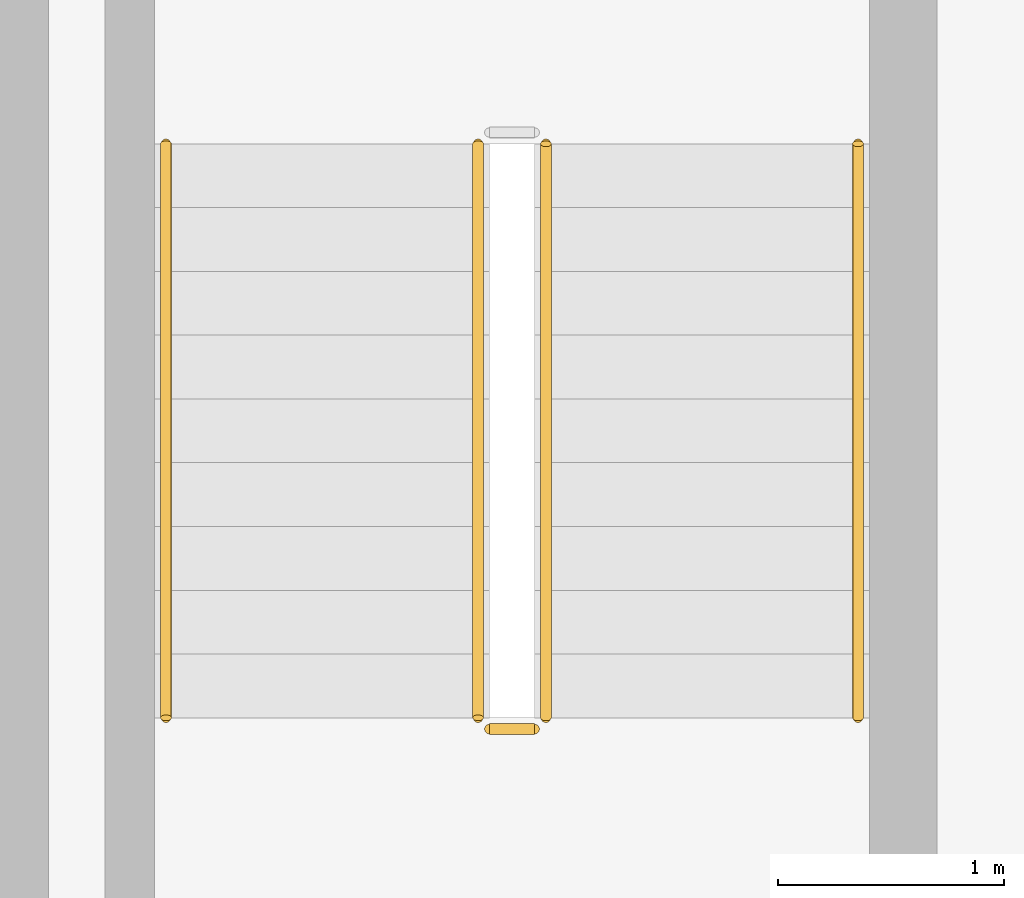
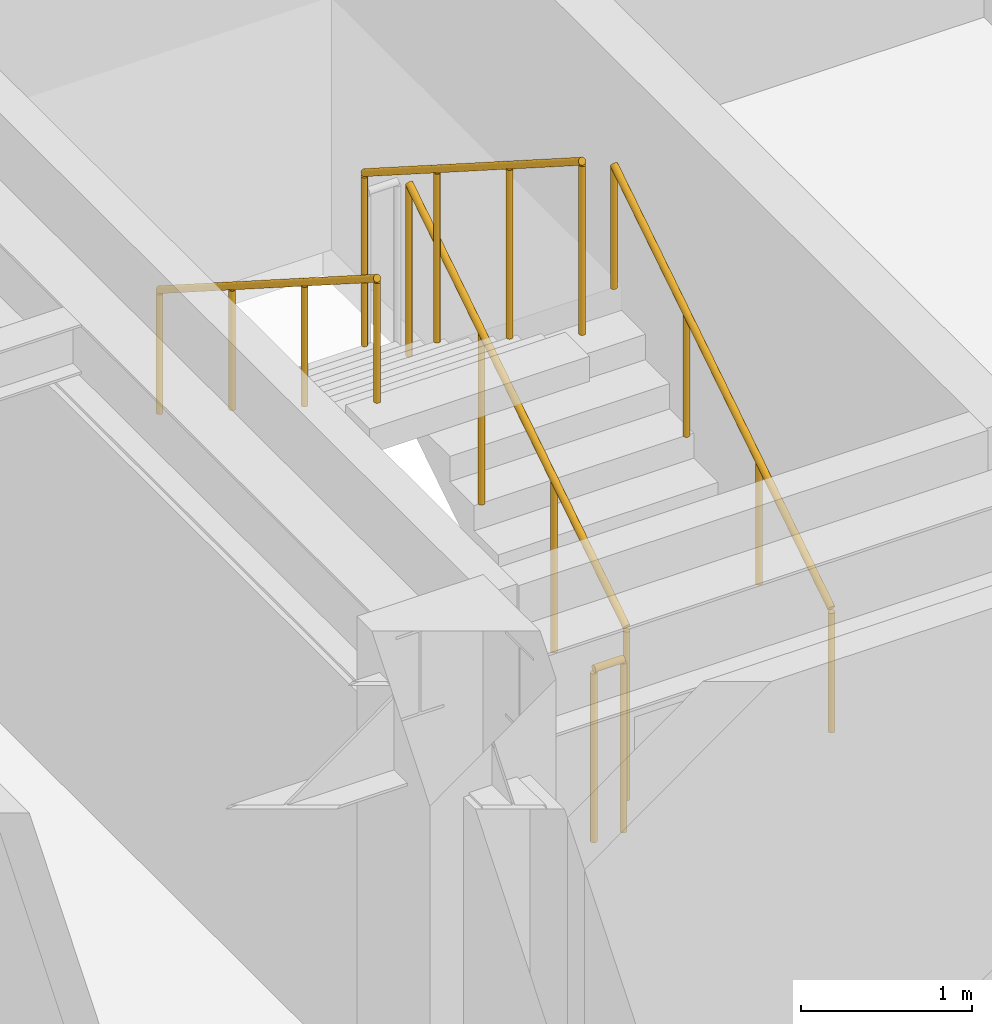
# One storey, part 10 of 12: 5 railings.
"""IFC4 building model written with IfcOpenShell, lengths in metres."""

from ifc_helpers import new_model, si_unit, direction, frame, origin, origin_2d, place, context, subcontext, project, spatial, circle, extrude, material, type_object, element, save


model = new_model("IFC4")

# Units and contexts
model_context = context("Model", 3, precision=1e-05, world=origin(), true_north=direction((0.0, 1.0)))
body_context = subcontext(model_context, "Body", "Model", "MODEL_VIEW")
ifc_project = project(units=[si_unit("LENGTHUNIT", "METRE"), si_unit("AREAUNIT", "SQUARE_METRE"), si_unit("VOLUMEUNIT", "CUBIC_METRE"), si_unit("PLANEANGLEUNIT", "RADIAN"), si_unit("MASSUNIT", "GRAM", prefix="KILO")], contexts=[model_context])

# Site, building, storey
site_placement = place(None, origin())
site = spatial("IfcSite", under=ifc_project, at=site_placement, CompositionType="ELEMENT")
building_placement = place(site_placement, origin())
building = spatial("IfcBuilding", under=site, at=building_placement, Name="Ochreholt Gables", CompositionType="ELEMENT")
storey_placement = place(building_placement, frame((0.0, 0.0, 80.39990234375)))
storey = spatial("IfcBuildingStorey", under=building, at=storey_placement, Name="L20", CompositionType="ELEMENT", Elevation=80.39990234375)

# Railings
ifc_material_1 = material(Name="Painted Steel Stair Guardrail", Category="steel")
railing_type_1 = type_object("IfcRailingType", Name="RL-ST-GUARD", PredefinedType="GUARDRAIL", material=ifc_material_1)
railing_1_placement = place(storey_placement, frame((26.64990234375, 32.4599609375, 0.18017578125)))
element("IfcRailing", 1, at=railing_1_placement, inside=storey, type_object=railing_type_1, Name="L20 ST-2 stair guard 1", PredefinedType="GUARDRAIL", context=body_context, shape_type="SweptSolid", body=[
    extrude(circle(Radius=0.02392578125, at=origin_2d()), frame((0.0, 0.0, 1.22607421875), z_axis=(0.0, 0.842949592929, 0.537992549931), x_axis=(-1.0, 0.0, 0.0)), (0.0, 0.0, 1.0), 3.010986328125),
    extrude(circle(Radius=0.02099609375, at=origin_2d()), origin(), (0.0, 0.0, 1.0), 1.201904296875),
    extrude(circle(Radius=0.02099609375, at=origin_2d()), frame((0.0, 0.845947265625, 0.5400390625)), (0.0, 0.0, 1.0), 1.201904296875),
    extrude(circle(Radius=0.02099609375, at=origin_2d()), frame((0.0, 1.692138671875, 1.079833984375)), (0.0, 0.0, 1.0), 1.201904296875),
    extrude(circle(Radius=0.02099609375, at=origin_2d()), frame((0.0, 2.5380859375, 1.619873046875)), (0.0, 0.0, 1.0), 1.201904296875),
])
railing_2_placement = place(storey_placement, frame((26.35009765625, 34.998046875, 1.97998046875)))
element("IfcRailing", 2, at=railing_2_placement, inside=storey, type_object=railing_type_1, Name="L20 ST-2 stair guard 3", PredefinedType="GUARDRAIL", context=body_context, shape_type="SweptSolid", body=[
    extrude(circle(Radius=0.02392578125, at=origin_2d()), frame((0.0, 0.0, 1.22607421875), z_axis=(0.0, -0.842912820907, 0.538050161556), x_axis=(1.0, 0.0, 0.0)), (0.0, 0.0, 1.0), 3.010986328125),
    extrude(circle(Radius=0.02099609375, at=origin_2d()), origin(), (0.0, 0.0, 1.0), 1.201904296875),
    extrude(circle(Radius=0.02099609375, at=origin_2d()), frame((0.0, -0.845947265625, 0.5400390625)), (0.0, 0.0, 1.0), 1.201904296875),
    extrude(circle(Radius=0.02099609375, at=origin_2d()), frame((0.0, -1.692138671875, 1.080078125)), (0.0, 0.0, 1.0), 1.201904296875),
    extrude(circle(Radius=0.02099609375, at=origin_2d()), frame((0.0, -2.5380859375, 1.6201171875)), (0.0, 0.0, 1.0), 1.201904296875),
])
railing_3_placement = place(storey_placement, frame((26.60009765625, 32.409912109375, 0.0)))
element("IfcRailing", 3, at=railing_3_placement, inside=storey, type_object=railing_type_1, Name="L20 ST-2 stair guard 4", PredefinedType="GUARDRAIL", context=body_context, shape_type="SweptSolid", body=[
    extrude(circle(Radius=0.02392578125, at=origin_2d()), frame((0.0, 0.0, 1.22607421875), z_axis=(-1.0, 0.0, 0.0), x_axis=(0.0, -1.0, 0.0)), (0.0, 0.0, 1.0), 0.2001953125),
    extrude(circle(Radius=0.02099609375, at=origin_2d()), origin(), (0.0, 0.0, 1.0), 1.201904296875),
    extrude(circle(Radius=0.02099609375, at=origin_2d()), frame((-0.2001953125, 0.0, 0.0)), (0.0, 0.0, 1.0), 1.201904296875),
])
ifc_material_2 = material(Name="Brushed Stainless Steel Wall Handrail", Category="steel")
railing_type_2 = type_object("IfcRailingType", Name="RL-ST-HAND", PredefinedType="HANDRAIL", material=ifc_material_2)
railing_4_placement = place(storey_placement, frame((28.030029296875, 32.4599609375, 0.18017578125)))
element("IfcRailing", 4, at=railing_4_placement, inside=storey, type_object=railing_type_2, Name="L20 ST-2 stair handrail 1", PredefinedType="HANDRAIL", context=body_context, shape_type="SweptSolid", body=[
    extrude(circle(Radius=0.02392578125, at=origin_2d()), frame((0.0, 0.0, 0.8759765625), z_axis=(0.0, 0.842949592929, 0.537992549931), x_axis=(-1.0, 0.0, 0.0)), (0.0, 0.0, 1.0), 3.010986328125),
    extrude(circle(Radius=0.02099609375, at=origin_2d()), origin(), (0.0, 0.0, 1.0), 0.851806640625),
    extrude(circle(Radius=0.02099609375, at=origin_2d()), frame((0.0, 0.845947265625, 0.5400390625)), (0.0, 0.0, 1.0), 0.851806640625),
    extrude(circle(Radius=0.02099609375, at=origin_2d()), frame((0.0, 1.692138671875, 1.079833984375)), (0.0, 0.0, 1.0), 0.851806640625),
    extrude(circle(Radius=0.02099609375, at=origin_2d()), frame((0.0, 2.5380859375, 1.619873046875)), (0.0, 0.0, 1.0), 0.851806640625),
])
railing_5_placement = place(storey_placement, frame((24.969970703125, 34.998046875, 1.97998046875)))
element("IfcRailing", 5, at=railing_5_placement, inside=storey, type_object=railing_type_2, Name="L20 ST-2 stair handrail 2", PredefinedType="HANDRAIL", context=body_context, shape_type="SweptSolid", body=[
    extrude(circle(Radius=0.02392578125, at=origin_2d()), frame((0.0, 0.0, 0.8759765625), z_axis=(0.0, -0.842912820907, 0.538050161556), x_axis=(1.0, 0.0, 0.0)), (0.0, 0.0, 1.0), 3.010986328125),
    extrude(circle(Radius=0.02099609375, at=origin_2d()), origin(), (0.0, 0.0, 1.0), 0.851806640625),
    extrude(circle(Radius=0.02099609375, at=origin_2d()), frame((0.0, -0.845947265625, 0.5400390625)), (0.0, 0.0, 1.0), 0.851806640625),
    extrude(circle(Radius=0.02099609375, at=origin_2d()), frame((0.0, -1.692138671875, 1.080078125)), (0.0, 0.0, 1.0), 0.851806640625),
    extrude(circle(Radius=0.02099609375, at=origin_2d()), frame((0.0, -2.5380859375, 1.6201171875)), (0.0, 0.0, 1.0), 0.851806640625),
])

save(model, "model.ifc")
